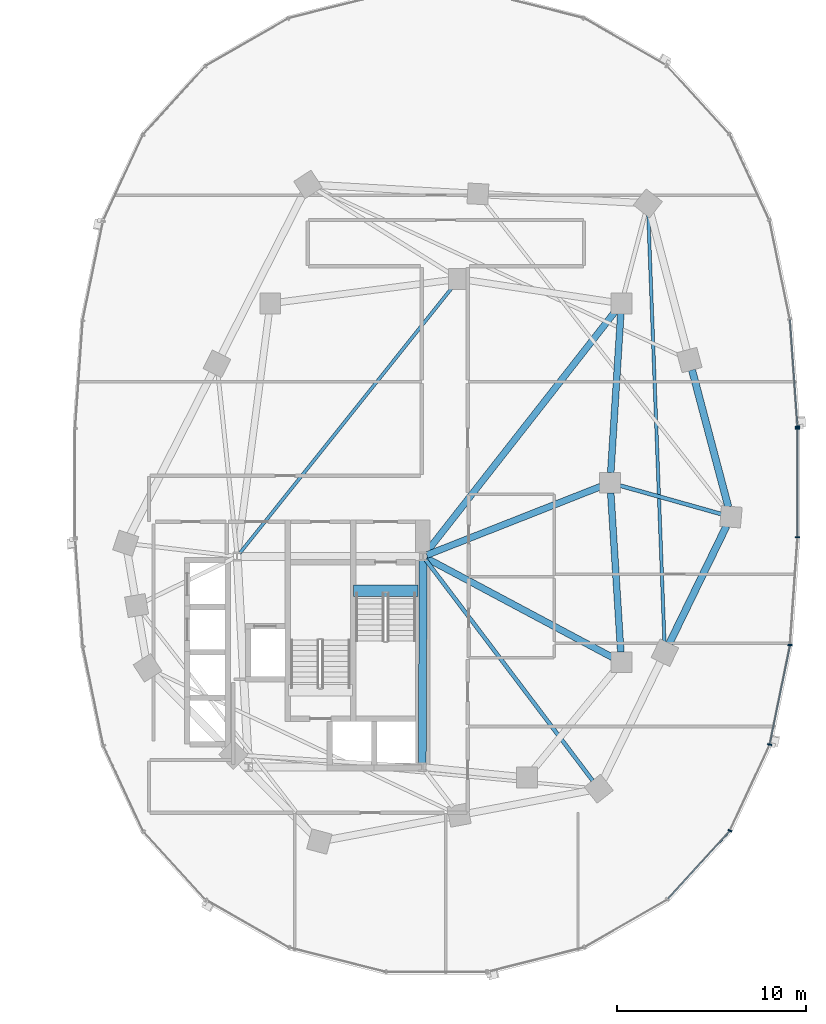
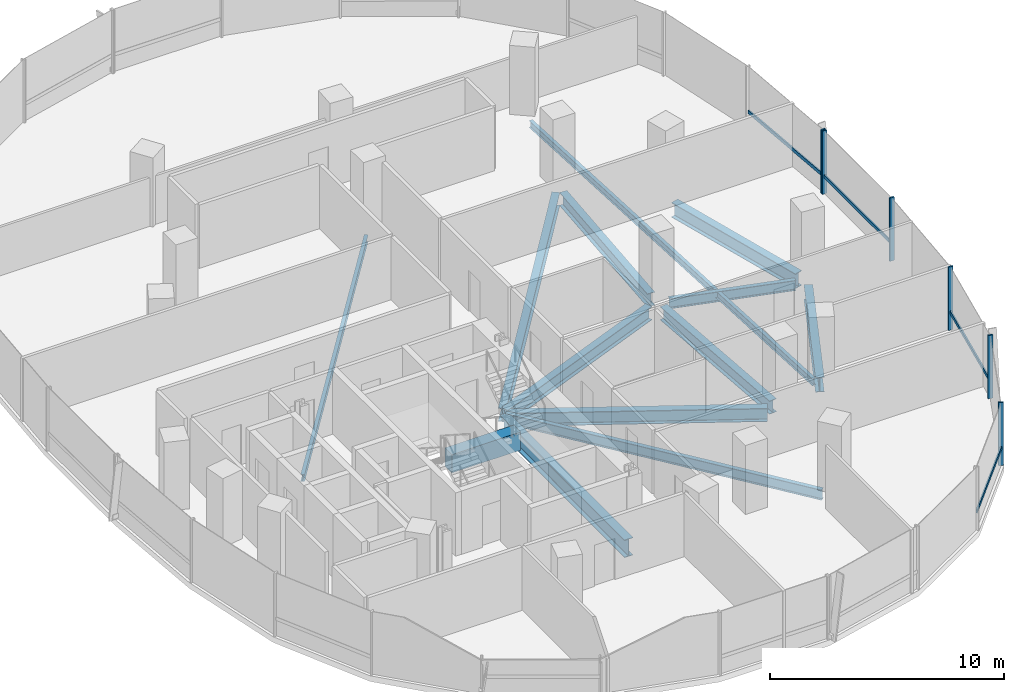
# One storey, part 6 of 21: 13 beams, 10 members, 2 elements without a shape of their own.
"""IFC4 building model written with IfcOpenShell, lengths in metres."""

from ifc_helpers import new_model, si_unit, direction, frame, origin, origin_2d, place, context, subcontext, project, spatial, rectangle, i_section, extrude, material, material_profile, profile_set, type_object, element, aggregate, save


model = new_model("IFC4")

# Units and contexts
model_context = context("Model", 3, precision=1e-05, world=origin(), true_north=direction((0.0, 1.0)))
body_context = subcontext(model_context, "Body", "Model", "MODEL_VIEW")
ifc_project = project(units=[si_unit("LENGTHUNIT", "METRE"), si_unit("AREAUNIT", "SQUARE_METRE"), si_unit("VOLUMEUNIT", "CUBIC_METRE"), si_unit("PLANEANGLEUNIT", "RADIAN"), si_unit("MASSUNIT", "GRAM", prefix="KILO"), si_unit("THERMODYNAMICTEMPERATUREUNIT", "KELVIN"), si_unit("POWERUNIT", "WATT")], contexts=[model_context])

# Site, building, storey
site_placement = place(None, origin())
site = spatial("IfcSite", under=ifc_project, at=site_placement, CompositionType="ELEMENT")
building_placement = place(site_placement, origin())
building = spatial("IfcBuilding", under=site, at=building_placement, Name="Cundina Bronze Exchange", CompositionType="ELEMENT")
storey_placement = place(building_placement, frame((0.0, 0.0, 121.39990234375)))
storey = spatial("IfcBuildingStorey", under=building, at=storey_placement, Name="L31", CompositionType="ELEMENT", Elevation=121.39990234375)

# Beams
ifc_material_1 = material(Name="Concrete C60/75", Category="concrete")
ifc_material_profile_1 = material_profile(ifc_material_1, rectangle(XDim=0.60009765625, YDim=0.949951171875, at=origin_2d()), Name="RC600X950", Category="concrete")
ifc_profile_set_1 = profile_set([ifc_material_profile_1], Name="Concrete C60/75")
beam_type_1 = type_object("IfcBeamType", Name="BM-COUP-RC950", PredefinedType="LINTEL", material=ifc_profile_set_1)
beam_1_placement = place(storey_placement, frame((27.6201171875, -5.719970703125, -0.474853515625), z_axis=(1.0, 0.0, 0.0), x_axis=(0.0, 1.0, 0.0)))
element("IfcBeam", 1, at=beam_1_placement, inside=storey, type_object=beam_type_1, Name="L31 Stair E1 Landing Header Beam", PredefinedType="LINTEL", context=body_context, shape_type="SweptSolid", body=[
    extrude(rectangle(XDim=0.60009765625, YDim=0.949951171875, at=origin_2d()), origin(), (0.0, 0.0, 1.0), 3.39990234375),
])
ifc_material_2 = material(Name="Steel ASTM A992 Grade 50", Category="steel")
ifc_material_profile_2 = material_profile(ifc_material_2, i_section(OverallWidth=0.2099609375, OverallDepth=0.532958984375, WebThickness=0.01025390625, FlangeThickness=0.015625, FilletRadius=0.013916015625, at=origin_2d()), Name="W21X62", Category="steel")
ifc_profile_set_2 = profile_set([ifc_material_profile_2], Name="Steel ASTM A992 Grade 50")
beam_type_2 = type_object("IfcBeamType", Name="BM-FLR-W21B", PredefinedType="BEAM", material=ifc_profile_set_2)
beam_2_placement = place(storey_placement, frame((31.423095703125, -4.062744140625, -0.56640625), z_axis=(0.603095885041, -0.797668699052, 0.0), x_axis=(0.797668699052, 0.603095885041, 0.0)))
element("IfcBeam", 2, at=beam_2_placement, inside=storey, type_object=beam_type_2, Name="L31 Leg E Chordal Floor Beam 06", PredefinedType="BEAM", context=body_context, shape_type="SweptSolid", body=[
    extrude(i_section(OverallWidth=0.2099609375, OverallDepth=0.532958984375, WebThickness=0.01025390625, FlangeThickness=0.015625, FilletRadius=0.013916015625, at=origin_2d()), origin(), (0.0, 0.0, 1.0), 14.677978515625),
])
beam_3_placement = place(storey_placement, frame((41.718017578125, -0.145751953125, -0.56640625), z_axis=(0.962654865541, -0.270731619598, 0.0), x_axis=(0.270731619598, 0.962654865541, 0.0)))
element("IfcBeam", 3, at=beam_3_placement, inside=storey, type_object=beam_type_2, Name="L31 Leg E Chordal Floor Beam 08", PredefinedType="BEAM", context=body_context, shape_type="SweptSolid", body=[
    extrude(i_section(OverallWidth=0.2099609375, OverallDepth=0.532958984375, WebThickness=0.01025390625, FlangeThickness=0.015625, FilletRadius=0.013916015625, at=origin_2d()), origin(), (0.0, 0.0, 1.0), 5.572021484375),
])
ifc_material_profile_3 = material_profile(ifc_material_2, i_section(OverallWidth=0.172119140625, OverallDepth=0.35791015625, WebThickness=0.0078125, FlangeThickness=0.01318359375, FilletRadius=0.010009765625, at=origin_2d()), Name="W14X38", Category="steel")
ifc_profile_set_3 = profile_set([ifc_material_profile_3], Name="Steel ASTM A992 Grade 50")
beam_type_3 = type_object("IfcBeamType", Name="BM-JST-W14", PredefinedType="JOIST", material=ifc_profile_set_3)
beam_4_placement = place(storey_placement, frame((21.577392578125, -3.740478515625, -0.47900390625), z_axis=(0.62436887964, 0.781129632095, 0.0), x_axis=(-0.781129632095, 0.62436887964, 0.0)))
element("IfcBeam", 4, at=beam_4_placement, inside=storey, type_object=beam_type_3, Name="L31 E Interior Core-to-Ring Joist 2", PredefinedType="JOIST", context=body_context, shape_type="SweptSolid", body=[
    extrude(i_section(OverallWidth=0.172119140625, OverallDepth=0.35791015625, WebThickness=0.0078125, FlangeThickness=0.01318359375, FilletRadius=0.010009765625, at=origin_2d()), origin(), (0.0, 0.0, 1.0), 18.076904296875),
])
beam_5_placement = place(storey_placement, frame((44.07958984375, -8.46240234375, -0.47900390625), z_axis=(-0.03778951385, 0.999285721224, 0.0), x_axis=(-0.999285721224, -0.03778951385, 0.0)))
element("IfcBeam", 5, at=beam_5_placement, inside=storey, type_object=beam_type_3, Name="L31 Leg E Lobe Floor Joist 07-10", PredefinedType="JOIST", context=body_context, shape_type="SweptSolid", body=[
    extrude(i_section(OverallWidth=0.172119140625, OverallDepth=0.35791015625, WebThickness=0.0078125, FlangeThickness=0.01318359375, FilletRadius=0.010009765625, at=origin_2d()), origin(), (0.0, 0.0, 1.0), 22.7412109375),
])
ifc_material_profile_4 = material_profile(ifc_material_2, i_section(OverallWidth=0.35498046875, OverallDepth=0.695068359375, WebThickness=0.015380859375, FlangeThickness=0.02490234375, FilletRadius=0.01806640625, at=origin_2d()), Name="W27X146", Category="steel")
ifc_profile_set_4 = profile_set([ifc_material_profile_4], Name="Steel ASTM A992 Grade 50")
beam_type_4 = type_object("IfcBeamType", Name="BM-RING-W27", PredefinedType="USERDEFINED", material=ifc_profile_set_4)
for number, where, z_axis, x_axis, name in (
    (6, (41.76611328125, -8.963134765625, -0.6474609375), (-0.06303715519, 0.998011180832, 0.0), (-0.998011180832, -0.06303715519, 0.0), "L31 E Inner Structural Ring Girder 03"),
    (7, (41.23388671875, 0.536865234375, -0.6474609375), (0.06303715519, 0.998011180832, 0.0), (-0.998011180832, 0.06303715519, 0.0), "L31 E Inner Structural Ring Girder 04"),
):
    element("IfcBeam", number, at=place(storey_placement, frame(where, z_axis=z_axis, x_axis=x_axis)), inside=storey, type_object=beam_type_4, Name=name, ObjectType="GIRDER", PredefinedType="USERDEFINED", context=body_context, shape_type="SweptSolid", body=[
        extrude(i_section(OverallWidth=0.35498046875, OverallDepth=0.695068359375, WebThickness=0.015380859375, FlangeThickness=0.02490234375, FilletRadius=0.01806640625, at=origin_2d()), origin(), (0.0, 0.0, 1.0), 8.443115234375),
    ])
beam_6_placement = place(storey_placement, frame((31.48974609375, -3.8251953125, -0.6474609375), z_axis=(0.930413235418, 0.366512225388, 0.0), x_axis=(-0.366512225388, 0.930413235418, 0.0)))
element("IfcBeam", 8, at=beam_6_placement, inside=storey, type_object=beam_type_4, Name="L31 E Core-to-Waist Tie Beam 1", ObjectType="GIRDER", PredefinedType="USERDEFINED", context=body_context, shape_type="SweptSolid", body=[
    extrude(i_section(OverallWidth=0.35498046875, OverallDepth=0.695068359375, WebThickness=0.015380859375, FlangeThickness=0.02490234375, FilletRadius=0.01806640625, at=origin_2d()), origin(), (0.0, 0.0, 1.0), 9.8984375),
])
beam_7_placement = place(storey_placement, frame((31.47998046875, -3.99609375, -0.6474609375), z_axis=(0.882354758239, -0.470584828286, 0.0), x_axis=(0.470584828286, 0.882354758239, 0.0)))
element("IfcBeam", 9, at=beam_7_placement, inside=storey, type_object=beam_type_4, Name="L31 E Core-to-Waist Tie Beam 2", ObjectType="GIRDER", PredefinedType="USERDEFINED", context=body_context, shape_type="SweptSolid", body=[
    extrude(i_section(OverallWidth=0.35498046875, OverallDepth=0.695068359375, WebThickness=0.015380859375, FlangeThickness=0.02490234375, FilletRadius=0.01806640625, at=origin_2d()), origin(), (0.0, 0.0, 1.0), 11.157958984375),
])
beam_8_placement = place(storey_placement, frame((31.42578125, -3.739501953125, -0.6474609375), z_axis=(0.616789275748, 0.787128318206, 0.0), x_axis=(-0.787128318206, 0.616789275748, 0.0)))
element("IfcBeam", 10, at=beam_8_placement, inside=storey, type_object=beam_type_4, Name="L31 E Core-to-Waist Tie Beam 3", ObjectType="GIRDER", PredefinedType="USERDEFINED", context=body_context, shape_type="SweptSolid", body=[
    extrude(i_section(OverallWidth=0.35498046875, OverallDepth=0.695068359375, WebThickness=0.015380859375, FlangeThickness=0.02490234375, FilletRadius=0.01806640625, at=origin_2d()), origin(), (0.0, 0.0, 1.0), 16.281982421875),
])
ifc_material_profile_5 = material_profile(ifc_material_2, i_section(OverallWidth=0.381103515625, OverallDepth=0.77294921875, WebThickness=0.0166015625, FlangeThickness=0.027099609375, FilletRadius=0.01904296875, at=origin_2d()), Name="W30X173", Category="steel")
ifc_profile_set_5 = profile_set([ifc_material_profile_5], Name="Steel ASTM A992 Grade 50")
beam_type_5 = type_object("IfcBeamType", Name="BM-RING-W30", PredefinedType="USERDEFINED", material=ifc_profile_set_5)
beam_9_placement = place(storey_placement, frame((44.335205078125, -8.51611328125, -0.6865234375), z_axis=(0.437193894283, 0.899367276924, 0.0), x_axis=(-0.899367276924, 0.437193894283, 0.0)))
element("IfcBeam", 11, at=beam_9_placement, inside=storey, type_object=beam_type_5, Name="L31 E Perimeter Ring Girder 07", ObjectType="GIRDER", PredefinedType="USERDEFINED", context=body_context, shape_type="SweptSolid", body=[
    extrude(i_section(OverallWidth=0.381103515625, OverallDepth=0.77294921875, WebThickness=0.0166015625, FlangeThickness=0.027099609375, FilletRadius=0.01904296875, at=origin_2d()), origin(), (0.0, 0.0, 1.0), 6.929443359375),
])
beam_10_placement = place(storey_placement, frame((47.462158203125, -1.280029296875, -0.6865234375), z_axis=(-0.256209719931, 0.966621218168, 0.0), x_axis=(-0.966621218168, -0.256209719931, 0.0)))
element("IfcBeam", 12, at=beam_10_placement, inside=storey, type_object=beam_type_5, Name="L31 E Perimeter Ring Girder 08", ObjectType="GIRDER", PredefinedType="USERDEFINED", context=body_context, shape_type="SweptSolid", body=[
    extrude(i_section(OverallWidth=0.381103515625, OverallDepth=0.77294921875, WebThickness=0.0166015625, FlangeThickness=0.027099609375, FilletRadius=0.01904296875, at=origin_2d()), origin(), (0.0, 0.0, 1.0), 7.5107421875),
])
ifc_material_profile_6 = material_profile(ifc_material_2, i_section(OverallWidth=0.41796875, OverallDepth=0.927001953125, WebThickness=0.019287109375, FlangeThickness=0.031982421875, FilletRadius=0.02392578125, at=origin_2d()), Name="W36X231", Category="steel")
ifc_profile_set_6 = profile_set([ifc_material_profile_6], Name="Steel ASTM A992 Grade 50")
beam_type_6 = type_object("IfcBeamType", Name="BM-WRN-W36B", PredefinedType="USERDEFINED", material=ifc_profile_set_6)
beam_11_placement = place(storey_placement, frame((31.2509765625, -14.845947265625, -0.763427734375), z_axis=(0.004477329608, 0.99998997671, 0.0), x_axis=(-0.99998997671, 0.004477329608, 0.0)))
element("IfcBeam", 13, at=beam_11_placement, inside=storey, type_object=beam_type_6, Name="L31 E Core Perimeter Tie Girder 4", ObjectType="GIRDER", PredefinedType="USERDEFINED", context=body_context, shape_type="SweptSolid", body=[
    extrude(i_section(OverallWidth=0.41796875, OverallDepth=0.927001953125, WebThickness=0.019287109375, FlangeThickness=0.031982421875, FilletRadius=0.02392578125, at=origin_2d()), origin(), (0.0, 0.0, 1.0), 10.741943359375),
])

# Curtain wall, member
ifc_material_3 = material(Name="Anodised Bronze Aluminium 6063-T6", Category="aluminium")
curtain_wall_type = type_object("IfcCurtainWallType", Name="CWS-TRD-MID", PredefinedType="NOTDEFINED", material=ifc_material_3)
curtain_wall_1_placement = place(storey_placement, origin())
curtain_wall_1 = element("IfcCurtainWall", 14, at=curtain_wall_1_placement, inside=storey, type_object=curtain_wall_type, Name="L31 CW-03 Curtain Wall Run CWR-L31-E1", PredefinedType="NOTDEFINED")
ifc_material_profile_7 = material_profile(ifc_material_3, rectangle(XDim=0.074951171875, YDim=0.219970703125, at=origin_2d()), Name="AL75X220", Category="aluminium")
ifc_profile_set_7 = profile_set([ifc_material_profile_7], Name="Anodised Bronze Aluminium 6063-T6")
member_type_1 = type_object("IfcMemberType", Name="CWM-MUL-220", PredefinedType="MULLION", material=ifc_profile_set_7)
member_1_placement = place(storey_placement, frame((51.12451171875, 2.976318359375, 0.0), z_axis=(0.0, 0.0, 1.0), x_axis=(-0.070278787473, 0.997527389113, 0.0)))
member_1 = element("IfcMember", 15, at=member_1_placement, type_object=member_type_1, Name="CW-03 Mullion 1", PredefinedType="MULLION", context=body_context, shape_type="SweptSolid", body=[
    extrude(rectangle(XDim=0.074951171875, YDim=0.219970703125, at=origin_2d()), origin(), (0.0, 0.0, 1.0), 3.300048828125),
])

# Curtain wall, members
curtain_wall_2_placement = place(storey_placement, origin())
curtain_wall_2 = element("IfcCurtainWall", 16, at=curtain_wall_2_placement, inside=storey, type_object=curtain_wall_type, Name="L31 CW-03 Curtain Wall Run CWR-L31-E4", PredefinedType="NOTDEFINED")
member_2_placement = place(storey_placement, frame((47.544189453125, -18.423583984375, 0.0), z_axis=(0.0, 0.0, 1.0), x_axis=(0.42087749791, 0.907117485088, 0.0)))
member_2 = element("IfcMember", 17, at=member_2_placement, type_object=member_type_1, Name="CW-03 Mullion 4", PredefinedType="MULLION", context=body_context, shape_type="SweptSolid", body=[
    extrude(rectangle(XDim=0.074951171875, YDim=0.219970703125, at=origin_2d()), origin(), (0.0, 0.0, 1.0), 3.300048828125),
])
member_3_placement = place(storey_placement, frame((49.651123046875, -13.861328125, 0.0), z_axis=(0.0, 0.0, 1.0), x_axis=(0.201419845156, 0.979505000486, 0.0)))
member_3 = element("IfcMember", 18, at=member_3_placement, type_object=member_type_1, Name="CW-03 Mullion 5", PredefinedType="MULLION", context=body_context, shape_type="SweptSolid", body=[
    extrude(rectangle(XDim=0.074951171875, YDim=0.219970703125, at=origin_2d()), origin(), (0.0, 0.0, 1.0), 3.300048828125),
])
member_4_placement = place(storey_placement, frame((50.72900390625, -8.591552734375, 0.0), z_axis=(0.0, 0.0, 1.0), x_axis=(0.070278787473, 0.997527389113, 0.0)))
member_4 = element("IfcMember", 19, at=member_4_placement, type_object=member_type_1, Name="CW-03 Mullion 6", PredefinedType="MULLION", context=body_context, shape_type="SweptSolid", body=[
    extrude(rectangle(XDim=0.074951171875, YDim=0.219970703125, at=origin_2d()), origin(), (0.0, 0.0, 1.0), 3.300048828125),
])
member_5_placement = place(storey_placement, frame((51.1279296875, -2.880615234375, 0.0), z_axis=(0.0, 0.0, 1.0), x_axis=(0.0, 1.0, 0.0)))
member_5 = element("IfcMember", 20, at=member_5_placement, type_object=member_type_1, Name="CW-03 Mullion 7", PredefinedType="MULLION", context=body_context, shape_type="SweptSolid", body=[
    extrude(rectangle(XDim=0.074951171875, YDim=0.219970703125, at=origin_2d()), origin(), (0.0, 0.0, 1.0), 3.300048828125),
])
member_6_placement = place(storey_placement, frame((51.1279296875, 2.880615234375, 0.0), z_axis=(0.0, 0.0, 1.0), x_axis=(0.0, 1.0, 0.0)))
member_6 = element("IfcMember", 21, at=member_6_placement, type_object=member_type_1, Name="CW-03 End Mullion", PredefinedType="MULLION", context=body_context, shape_type="SweptSolid", body=[
    extrude(rectangle(XDim=0.074951171875, YDim=0.219970703125, at=origin_2d()), origin(), (0.0, 0.0, 1.0), 3.300048828125),
])

# Member
ifc_material_profile_8 = material_profile(ifc_material_3, rectangle(XDim=0.070068359375, YDim=0.179931640625, at=origin_2d()), Name="AL70X180", Category="aluminium")
ifc_profile_set_8 = profile_set([ifc_material_profile_8], Name="Anodised Bronze Aluminium 6063-T6")
member_type_2 = type_object("IfcMemberType", Name="CWM-TRN-180", PredefinedType="USERDEFINED", material=ifc_profile_set_8)
member_7_placement = place(storey_placement, frame((51.12158203125, 3.017333984375, 0.920166015625), z_axis=(-0.070260714471, 0.997528662246, 0.0), x_axis=(-0.997528662246, -0.070260714471, 0.0)))
member_7 = element("IfcMember", 22, at=member_7_placement, type_object=member_type_2, Name="CW-03 Spandrel Transom 1", ObjectType="TRANSOM", PredefinedType="USERDEFINED", context=body_context, shape_type="SweptSolid", body=[
    extrude(rectangle(XDim=0.070068359375, YDim=0.179931640625, at=origin_2d()), origin(), (0.0, 0.0, 1.0), 5.629150390625),
])

aggregate(curtain_wall_1, [member_1, member_7])

member_8_placement = place(storey_placement, frame((44.26708984375, -22.027099609375, 0.920166015625), z_axis=(0.674302794847, 0.738454968743, 0.0), x_axis=(-0.738454968743, 0.674302794847, 0.0)))
member_8 = element("IfcMember", 23, at=member_8_placement, type_object=member_type_2, Name="CW-03 Spandrel Transom 3", ObjectType="TRANSOM", PredefinedType="USERDEFINED", context=body_context, shape_type="SweptSolid", body=[
    extrude(rectangle(XDim=0.070068359375, YDim=0.179931640625, at=origin_2d()), origin(), (0.0, 0.0, 1.0), 4.848388671875),
])

member_9_placement = place(storey_placement, frame((49.659423828125, -13.821044921875, 0.920166015625), z_axis=(0.201427712708, 0.979503382615, 0.0), x_axis=(-0.979503382615, 0.201427712708, 0.0)))
member_9 = element("IfcMember", 24, at=member_9_placement, type_object=member_type_2, Name="CW-03 Spandrel Transom 5", ObjectType="TRANSOM", PredefinedType="USERDEFINED", context=body_context, shape_type="SweptSolid", body=[
    extrude(rectangle(XDim=0.070068359375, YDim=0.179931640625, at=origin_2d()), origin(), (0.0, 0.0, 1.0), 5.291748046875),
])

member_10_placement = place(storey_placement, frame((51.1279296875, -2.839111328125, 0.920166015625), z_axis=(0.0, 1.0, 0.0), x_axis=(-1.0, 0.0, 0.0)))
member_10 = element("IfcMember", 25, at=member_10_placement, type_object=member_type_2, Name="CW-03 Spandrel Transom 7", ObjectType="TRANSOM", PredefinedType="USERDEFINED", context=body_context, shape_type="SweptSolid", body=[
    extrude(rectangle(XDim=0.070068359375, YDim=0.179931640625, at=origin_2d()), origin(), (0.0, 0.0, 1.0), 5.67822265625),
])

aggregate(curtain_wall_2, [member_8, member_2, member_3, member_9, member_4, member_5, member_6, member_10])

save(model, "model.ifc")
